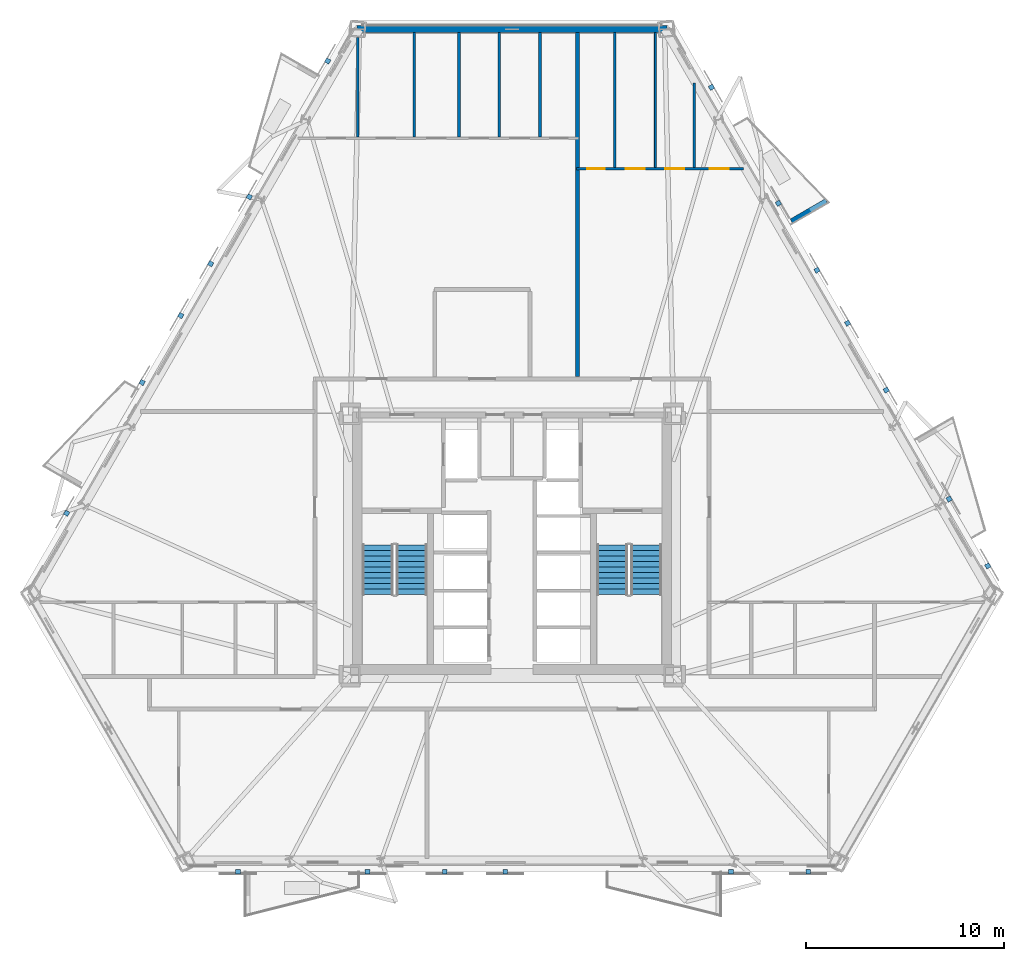
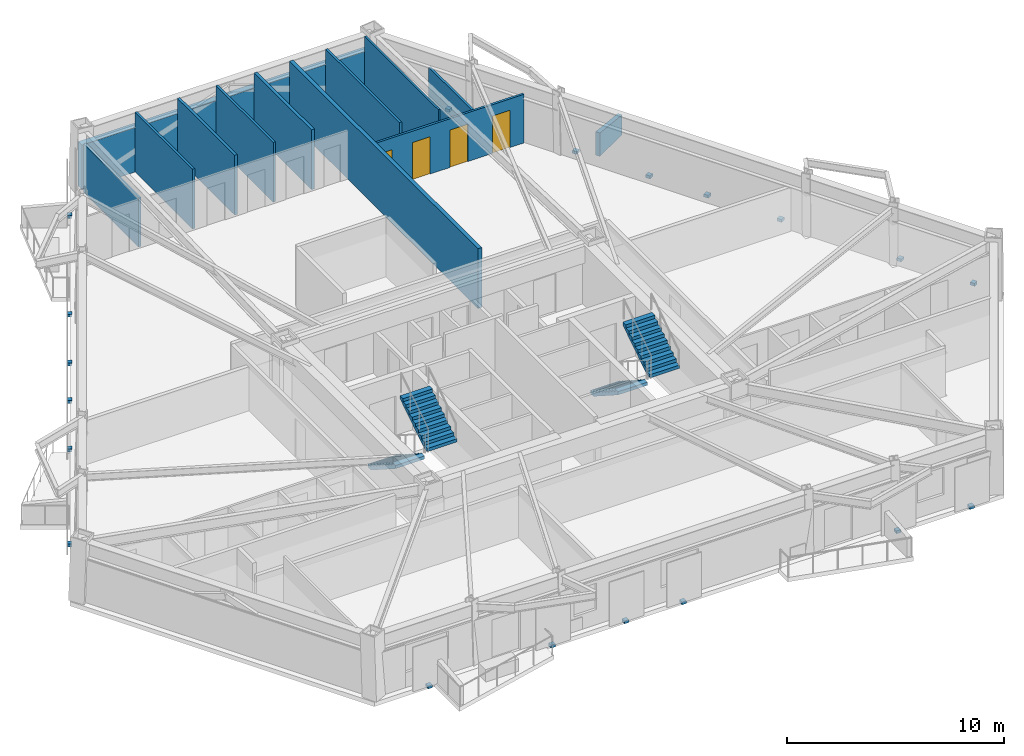
# One storey, part 6 of 12: 19 discrete accessories, 12 walls, 4 doors, 4 stair flights, 4 openings, 2 elements without a shape of their own.
"""IFC4 building model written with IfcOpenShell, lengths in metres."""

from ifc_helpers import new_model, si_unit, direction, frame, frame_2d, origin, origin_2d, place, context, subcontext, project, spatial, polyline, rectangle, outline, extrude, material, layer, layer_set, type_object, element, fill, aggregate, save


model = new_model("IFC4")

# Units and contexts
model_context = context("Model", 3, precision=1e-05, world=origin(), true_north=direction((0.0, 1.0)))
body_context = subcontext(model_context, "Body", "Model", "MODEL_VIEW")
ifc_project = project(units=[si_unit("LENGTHUNIT", "METRE"), si_unit("AREAUNIT", "SQUARE_METRE"), si_unit("VOLUMEUNIT", "CUBIC_METRE"), si_unit("PLANEANGLEUNIT", "RADIAN"), si_unit("MASSUNIT", "GRAM", prefix="KILO")], contexts=[model_context])

# Site, building, storey
site_placement = place(None, origin())
site = spatial("IfcSite", under=ifc_project, at=site_placement, CompositionType="ELEMENT")
building_placement = place(site_placement, origin())
building = spatial("IfcBuilding", under=site, at=building_placement, Name="Oramaril Tower", CompositionType="ELEMENT")
storey_placement = place(building_placement, frame((0.0, 0.0, 34.5)))
storey = spatial("IfcBuildingStorey", under=building, at=storey_placement, Name="L08", CompositionType="ELEMENT", Elevation=34.5)

# Walls
ifc_material_1 = material(Name="Warm Cream Limestone", Category="masonry")
ifc_layer_1 = layer(ifc_material_1, 0.340087890625)
ifc_layer_set_1 = layer_set([ifc_layer_1], Name="WT-EXT34")
wall_type_1 = type_object("IfcWallType", Name="WT-EXT34", PredefinedType="SOLIDWALL", material=ifc_layer_set_1)
wall_1_placement = place(storey_placement, frame((45.316162109375, 43.621337890625, 0.0), z_axis=(0.0, 0.0, 1.0), x_axis=(-1.0, 0.0, 0.0)))
element("IfcWall", 1, at=wall_1_placement, inside=storey, type_object=wall_type_1, Name="L08 Tower Limestone Facade Wall 5M", PredefinedType="SOLIDWALL", context=body_context, shape_type="SweptSolid", body=[
    extrude(rectangle(XDim=15.63232421875, YDim=0.340087890625, at=frame_2d((7.816162109375, 0.0))), origin(), (0.0, 0.0, 1.0), 2.493896484375),
])
ifc_material_2 = material(Name="Concrete C40/50", Category="concrete")
ifc_layer_2 = layer(ifc_material_2, 0.22998046875)
ifc_layer_set_2 = layer_set([ifc_layer_2], Name="WT-PRP23")
wall_type_2 = type_object("IfcWallType", Name="WT-PRP23", PredefinedType="PARAPET", material=ifc_layer_set_2)
wall_2_placement = place(storey_placement, frame((51.598876953125, 33.935546875, 0.0), z_axis=(0.0, 0.0, 1.0), x_axis=(0.866012356593, 0.500022597718, 0.0)))
element("IfcWall", 2, at=wall_2_placement, inside=storey, type_object=wall_type_2, Name="L08 Trapezoidal Balcony Frame Cheek L08-BAL-NE2-L", PredefinedType="PARAPET", context=body_context, shape_type="SweptSolid", body=[
    extrude(outline(polyline([(0.0, 0.0), (2.0419921875, 0.0), (2.0419921875, 1.10009765625), (0.0, 1.320068359375), (0.0, 0.0)])), frame((0.0, 0.114990234375, 0.0), z_axis=(0.0, -1.0, 0.0), x_axis=(1.0, 0.0, 0.0)), (0.0, 0.0, 1.0), 0.22998046875),
])
ifc_material_3 = material(Name="Acoustic Gypsum Board Partition")
ifc_layer_3 = layer(ifc_material_3, 0.10009765625)
ifc_layer_set_3 = layer_set([ifc_layer_3], Name="WT-PT10")
wall_type_3 = type_object("IfcWallType", Name="WT-PT10", PredefinedType="PARTITIONING", material=ifc_layer_set_3)
wall_3_placement = place(storey_placement, frame((44.739990234375, 36.64404296875, 0.0), z_axis=(0.0, 0.0, 1.0), x_axis=(0.0, 1.0, 0.0)))
element("IfcWall", 3, at=wall_3_placement, inside=storey, type_object=wall_type_3, Name="L08 Interior Partition PT-10", PredefinedType="PARTITIONING", context=body_context, shape_type="SweptSolid", body=[
    extrude(rectangle(XDim=6.80322265625, YDim=0.10009765625, at=frame_2d((3.401611328125, 0.0))), origin(), (0.0, 0.0, 1.0), 3.360107421875),
])

# Wall, openings, doors
ifc_material_4 = material(Name="Acoustic Gypsum Board Partition")
ifc_layer_4 = layer(ifc_material_4, 0.1201171875)
ifc_layer_set_4 = layer_set([ifc_layer_4], Name="WT-PT12")
wall_type_4 = type_object("IfcWallType", Name="WT-PT12", PredefinedType="PARTITIONING", material=ifc_layer_set_4)
wall_4_placement = place(storey_placement, frame((40.75, 36.580078125, 0.0), z_axis=(0.0, 0.0, 1.0), x_axis=(1.0, 0.0, 0.0)))
wall_4 = element("IfcWall", 4, at=wall_4_placement, inside=storey, type_object=wall_type_4, Name="L08 Interior Partition PT-12", PredefinedType="PARTITIONING", context=body_context, shape_type="SweptSolid", body=[
    extrude(rectangle(XDim=8.4306640625, YDim=0.1201171875, at=frame_2d((4.21533203125, 0.0))), origin(), (0.0, 0.0, 1.0), 2.738037109375),
])
opening_1_placement = place(wall_4_placement, frame((0.5400390625, 0.0, 0.0)))
opening_1 = element("IfcOpeningElement", 5, at=opening_1_placement, cuts=wall_4, Name="Opening D-L08-15", PredefinedType="OPENING", context=body_context, shape_type="SweptSolid", body=[
    extrude(rectangle(XDim=0.8798828125, YDim=2.080078125, at=frame_2d((0.43994140625, 1.0400390625))), frame((0.0, 0.06005859375, 0.0), z_axis=(0.0, -1.0, 0.0), x_axis=(1.0, 0.0, 0.0)), (0.0, 0.0, 1.0), 0.1201171875),
])
opening_2_placement = place(wall_4_placement, frame((2.489990234375, 0.0, 0.0)))
opening_2 = element("IfcOpeningElement", 6, at=opening_2_placement, cuts=wall_4, Name="Opening D-L08-16", PredefinedType="OPENING", context=body_context, shape_type="SweptSolid", body=[
    extrude(rectangle(XDim=0.949951171875, YDim=2.10009765625, at=frame_2d((0.47509765625, 1.050048828125))), frame((0.0, 0.06005859375, 0.0), z_axis=(0.0, -1.0, 0.0), x_axis=(1.0, 0.0, 0.0)), (0.0, 0.0, 1.0), 0.1201171875),
])
opening_3_placement = place(wall_4_placement, frame((4.489990234375, 0.0, 0.0)))
opening_3 = element("IfcOpeningElement", 7, at=opening_3_placement, cuts=wall_4, Name="Opening D-L08-17", PredefinedType="OPENING", context=body_context, shape_type="SweptSolid", body=[
    extrude(rectangle(XDim=0.949951171875, YDim=2.10009765625, at=frame_2d((0.47509765625, 1.050048828125))), frame((0.0, 0.06005859375, 0.0), z_axis=(0.0, -1.0, 0.0), x_axis=(1.0, 0.0, 0.0)), (0.0, 0.0, 1.0), 0.1201171875),
])
opening_4_placement = place(wall_4_placement, frame((6.739990234375, 0.0, 0.0)))
opening_4 = element("IfcOpeningElement", 8, at=opening_4_placement, cuts=wall_4, Name="Opening D-L08-18", PredefinedType="OPENING", context=body_context, shape_type="SweptSolid", body=[
    extrude(rectangle(XDim=0.949951171875, YDim=2.10009765625, at=frame_2d((0.47509765625, 1.050048828125))), frame((0.0, 0.06005859375, 0.0), z_axis=(0.0, -1.0, 0.0), x_axis=(1.0, 0.0, 0.0)), (0.0, 0.0, 1.0), 0.1201171875),
])
ifc_material_5 = material(Name="FSC Brazilian Freijo Hardwood", Category="wood")
door_type_1 = type_object("IfcDoorType", Name="DT-BATH", OperationType="NOTDEFINED", PredefinedType="DOOR", material=ifc_material_5)
door_1_placement = place(opening_1_placement, origin())
door_1 = element("IfcDoor", 9, at=door_1_placement, inside=storey, type_object=door_type_1, Name="L08 Flat L08-U6 Bathroom Door D-L08-15", OperationType="SINGLE_SWING_LEFT", OverallHeight=2.080078125, OverallWidth=0.8798828125, PredefinedType="DOOR", context=body_context, shape_type="SweptSolid", body=[
    extrude(rectangle(XDim=0.8798828125, YDim=2.080078125, at=frame_2d((0.43994140625, 1.0400390625))), frame((0.0, 0.02490234375, 0.0), z_axis=(0.0, -1.0, 0.0), x_axis=(1.0, 0.0, 0.0)), (0.0, 0.0, 1.0), 0.050048828125),
])
fill(opening_1, door_1)
ifc_material_6 = material(Name="FSC Brazilian Freijo Hardwood", Category="wood")
door_type_2 = type_object("IfcDoorType", Name="DT-STDY", OperationType="NOTDEFINED", PredefinedType="DOOR", material=ifc_material_6)
door_2_placement = place(opening_2_placement, origin())
door_2 = element("IfcDoor", 10, at=door_2_placement, inside=storey, type_object=door_type_2, Name="L08 Flat L08-U6 Kitchen Door D-L08-16", OperationType="SINGLE_SWING_RIGHT", OverallHeight=2.10009765625, OverallWidth=0.949951171875, PredefinedType="DOOR", context=body_context, shape_type="SweptSolid", body=[
    extrude(rectangle(XDim=0.949951171875, YDim=2.10009765625, at=frame_2d((0.47509765625, 1.050048828125))), frame((0.0, 0.02490234375, 0.0), z_axis=(0.0, -1.0, 0.0), x_axis=(1.0, 0.0, 0.0)), (0.0, 0.0, 1.0), 0.050048828125),
])
fill(opening_2, door_2)
door_3_placement = place(opening_3_placement, origin())
door_3 = element("IfcDoor", 11, at=door_3_placement, inside=storey, type_object=door_type_2, Name="L08 Flat L08-U6 Reading Study Door D-L08-17", OperationType="SINGLE_SWING_LEFT", OverallHeight=2.10009765625, OverallWidth=0.949951171875, PredefinedType="DOOR", context=body_context, shape_type="SweptSolid", body=[
    extrude(rectangle(XDim=0.949951171875, YDim=2.10009765625, at=frame_2d((0.47509765625, 1.050048828125))), frame((0.0, 0.02490234375, 0.0), z_axis=(0.0, -1.0, 0.0), x_axis=(1.0, 0.0, 0.0)), (0.0, 0.0, 1.0), 0.050048828125),
])
fill(opening_3, door_3)
door_4_placement = place(opening_4_placement, origin())
door_4 = element("IfcDoor", 12, at=door_4_placement, inside=storey, type_object=door_type_2, Name="L08 Flat L08-U6 Breakfast Dining Room Door D-L08-18", OperationType="SINGLE_SWING_RIGHT", OverallHeight=2.10009765625, OverallWidth=0.949951171875, PredefinedType="DOOR", context=body_context, shape_type="SweptSolid", body=[
    extrude(rectangle(XDim=0.949951171875, YDim=2.10009765625, at=frame_2d((0.47509765625, 1.050048828125))), frame((0.0, 0.02490234375, 0.0), z_axis=(0.0, -1.0, 0.0), x_axis=(1.0, 0.0, 0.0)), (0.0, 0.0, 1.0), 0.050048828125),
])
fill(opening_4, door_4)

# Walls
for number, where, z_axis, x_axis, name in (
    (13, (32.570068359375, 38.1640625, 0.0), (0.0, 0.0, 1.0), (0.0, 1.0, 0.0), "L08 Interior Partition PT-12"),
    (14, (36.860107421875, 38.1640625, 0.0), (0.0, 0.0, 1.0), (0.0, 1.0, 0.0), "L08 Interior Partition PT-12"),
):
    element("IfcWall", number, at=place(storey_placement, frame(where, z_axis=z_axis, x_axis=x_axis)), inside=storey, type_object=wall_type_4, Name=name, PredefinedType="PARTITIONING", context=body_context, shape_type="SweptSolid", body=[
        extrude(rectangle(XDim=5.283203125, YDim=0.1201171875, at=frame_2d((2.6416015625, 0.0))), origin(), (0.0, 0.0, 1.0), 3.360107421875),
    ])
wall_5_placement = place(storey_placement, frame((42.68994140625, 36.64404296875, 0.0), z_axis=(0.0, 0.0, 1.0), x_axis=(0.0, 1.0, 0.0)))
element("IfcWall", 15, at=wall_5_placement, inside=storey, type_object=wall_type_4, Name="L08 Interior Partition PT-12", PredefinedType="PARTITIONING", context=body_context, shape_type="SweptSolid", body=[
    extrude(rectangle(XDim=6.80322265625, YDim=0.1201171875, at=frame_2d((3.401611328125, 0.0))), origin(), (0.0, 0.0, 1.0), 3.360107421875),
])
wall_6_placement = place(storey_placement, frame((46.68994140625, 36.64404296875, 0.0), z_axis=(0.0, 0.0, 1.0), x_axis=(0.0, 1.0, 0.0)))
element("IfcWall", 16, at=wall_6_placement, inside=storey, type_object=wall_type_4, Name="L08 Interior Partition PT-12", PredefinedType="PARTITIONING", context=body_context, shape_type="SweptSolid", body=[
    extrude(rectangle(XDim=4.249755859375, YDim=0.1201171875, at=frame_2d((2.125, 0.0))), origin(), (0.0, 0.0, 1.0), 2.493896484375),
])
ifc_material_7 = material(Name="Acoustic Gypsum Board Partition")
ifc_layer_5 = layer(ifc_material_7, 0.139892578125)
ifc_layer_set_5 = layer_set([ifc_layer_5], Name="WT-PT14")
wall_type_5 = type_object("IfcWallType", Name="WT-PT14", PredefinedType="PARTITIONING", material=ifc_layer_set_5)
wall_7_placement = place(storey_placement, frame((29.7099609375, 38.1640625, 0.0), z_axis=(0.0, 0.0, 1.0), x_axis=(0.0, 1.0, 0.0)))
element("IfcWall", 17, at=wall_7_placement, inside=storey, type_object=wall_type_5, Name="L08 Interior Partition PT-14", PredefinedType="PARTITIONING", context=body_context, shape_type="SweptSolid", body=[
    extrude(rectangle(XDim=5.03759765625, YDim=0.139892578125, at=frame_2d((2.518798828125, 0.0))), origin(), (0.0, 0.0, 1.0), 2.738037109375),
])
wall_8_placement = place(storey_placement, frame((34.820068359375, 38.1640625, 0.0), z_axis=(0.0, 0.0, 1.0), x_axis=(0.0, 1.0, 0.0)))
element("IfcWall", 18, at=wall_8_placement, inside=storey, type_object=wall_type_5, Name="L08 Interior Partition PT-14", PredefinedType="PARTITIONING", context=body_context, shape_type="SweptSolid", body=[
    extrude(rectangle(XDim=5.283203125, YDim=0.139892578125, at=frame_2d((2.6416015625, 0.0))), origin(), (0.0, 0.0, 1.0), 3.360107421875),
])
ifc_material_8 = material(Name="Acoustic Gypsum Board Partition")
ifc_layer_6 = layer(ifc_material_8, 0.159912109375)
ifc_layer_set_6 = layer_set([ifc_layer_6], Name="WT-PT16")
wall_type_6 = type_object("IfcWallType", Name="WT-PT16", PredefinedType="PARTITIONING", material=ifc_layer_set_6)
wall_9_placement = place(storey_placement, frame((38.909912109375, 38.1640625, 0.0), z_axis=(0.0, 0.0, 1.0), x_axis=(0.0, 1.0, 0.0)))
element("IfcWall", 19, at=wall_9_placement, inside=storey, type_object=wall_type_6, Name="L08 Interior Partition PT-16", PredefinedType="PARTITIONING", context=body_context, shape_type="SweptSolid", body=[
    extrude(rectangle(XDim=5.283203125, YDim=0.159912109375, at=frame_2d((2.6416015625, 0.0))), origin(), (0.0, 0.0, 1.0), 3.360107421875),
])
ifc_material_9 = material(Name="Autoclaved Cellular Concrete Block", Category="concrete")
ifc_layer_7 = layer(ifc_material_9, 0.199951171875)
ifc_layer_set_7 = layer_set([ifc_layer_7], Name="WT-PT20")
wall_type_7 = type_object("IfcWallType", Name="WT-PT20", PredefinedType="PARTITIONING", material=ifc_layer_set_7)
wall_10_placement = place(storey_placement, frame((40.800048828125, 26.073974609375, 0.0), z_axis=(0.0, 0.0, 1.0), x_axis=(0.0, 1.0, 0.0)))
element("IfcWall", 20, at=wall_10_placement, inside=storey, type_object=wall_type_7, Name="L08 Interior Partition PT-20", PredefinedType="PARTITIONING", context=body_context, shape_type="SweptSolid", body=[
    extrude(rectangle(XDim=17.373291015625, YDim=0.199951171875, at=frame_2d((8.6865234375, 0.0))), origin(), (0.0, 0.0, 1.0), 3.360107421875),
])

# Stair, stair flights
ifc_material_10 = material(Name="Concrete C50/60", Category="concrete")
stair_type = type_object("IfcStairType", Name="STT-DG-3600", PredefinedType="HALF_TURN_STAIR", material=ifc_material_10)
stair_1_placement = place(storey_placement, origin())
stair_1 = element("IfcStair", 21, at=stair_1_placement, inside=storey, type_object=stair_type, Name="L08 Protected PFP Exit Stair ST-1", PredefinedType="HALF_TURN_STAIR")
ifc_material_11 = material(Name="Concrete C50/60", Category="concrete")
stair_flight_type = type_object("IfcStairFlightType", Name="SFT-DG-3600", PredefinedType="STRAIGHT", material=ifc_material_11)
stair_flight_1_placement = place(storey_placement, frame((30.72998046875, 17.590087890625, 0.0), z_axis=(0.0, 0.0, 1.0), x_axis=(0.0, -1.0, 0.0)))
stair_flight_1 = element("IfcStairFlight", 22, at=stair_flight_1_placement, type_object=stair_flight_type, Name="ST-1 flight 1", NumberOfRisers=10, NumberOfTreads=9, PredefinedType="STRAIGHT", RiserHeight=0.18, TreadLength=0.28, context=body_context, shape_type="SweptSolid", body=[
    extrude(outline(polyline([(0.0, 0.0), (0.0, 0.179931640625), (0.280029296875, 0.179931640625), (0.280029296875, 0.360107421875), (0.56005859375, 0.360107421875), (0.56005859375, 0.5400390625), (0.840087890625, 0.5400390625), (0.840087890625, 0.719970703125), (1.1201171875, 0.719970703125), (1.1201171875, 0.89990234375), (1.39990234375, 0.89990234375), (1.39990234375, 1.080078125), (1.679931640625, 1.080078125), (1.679931640625, 1.260009765625), (1.9599609375, 1.260009765625), (1.9599609375, 1.43994140625), (2.239990234375, 1.43994140625), (2.239990234375, 1.6201171875), (2.52001953125, 1.6201171875), (2.52001953125, 1.800048828125), (2.52001953125, 1.44189453125), (0.277099609375, 0.0), (0.0, 0.0)])), frame((0.0, 0.780029296875, 0.0), z_axis=(0.0, -1.0, 0.0), x_axis=(1.0, 0.0, 0.0)), (0.0, 0.0, 1.0), 1.56005859375),
])
stair_flight_2_placement = place(storey_placement, frame((32.43994140625, 15.070068359375, 1.800048828125), z_axis=(0.0, 0.0, 1.0), x_axis=(0.0, 1.0, 0.0)))
stair_flight_2 = element("IfcStairFlight", 23, at=stair_flight_2_placement, type_object=stair_flight_type, Name="ST-1 flight 2", NumberOfRisers=10, NumberOfTreads=9, PredefinedType="STRAIGHT", RiserHeight=0.18, TreadLength=0.28, context=body_context, shape_type="SweptSolid", body=[
    extrude(outline(polyline([(0.0, 0.0), (0.0, 0.179931640625), (0.280029296875, 0.179931640625), (0.280029296875, 0.360107421875), (0.56005859375, 0.360107421875), (0.56005859375, 0.5400390625), (0.840087890625, 0.5400390625), (0.840087890625, 0.719970703125), (1.1201171875, 0.719970703125), (1.1201171875, 0.89990234375), (1.39990234375, 0.89990234375), (1.39990234375, 1.080078125), (1.679931640625, 1.080078125), (1.679931640625, 1.260009765625), (1.9599609375, 1.260009765625), (1.9599609375, 1.43994140625), (2.239990234375, 1.43994140625), (2.239990234375, 1.6201171875), (2.52001953125, 1.6201171875), (2.52001953125, 1.800048828125), (2.52001953125, 1.44189453125), (0.277099609375, 0.0), (0.0, 0.0)])), frame((0.0, 0.780029296875, 0.0), z_axis=(0.0, -1.0, 0.0), x_axis=(1.0, 0.0, 0.0)), (0.0, 0.0, 1.0), 1.56005859375),
])
aggregate(stair_1, [stair_flight_1, stair_flight_2])

stair_2_placement = place(storey_placement, origin())
stair_2 = element("IfcStair", 24, at=stair_2_placement, inside=storey, type_object=stair_type, Name="L08 Protected PFP Exit Stair ST-2", PredefinedType="HALF_TURN_STAIR")
stair_flight_3_placement = place(storey_placement, frame((42.56005859375, 17.590087890625, 0.0), z_axis=(0.0, 0.0, 1.0), x_axis=(0.0, -1.0, 0.0)))
stair_flight_3 = element("IfcStairFlight", 25, at=stair_flight_3_placement, type_object=stair_flight_type, Name="ST-2 flight 1", NumberOfRisers=10, NumberOfTreads=9, PredefinedType="STRAIGHT", RiserHeight=0.18, TreadLength=0.28, context=body_context, shape_type="SweptSolid", body=[
    extrude(outline(polyline([(0.0, 0.0), (0.0, 0.179931640625), (0.280029296875, 0.179931640625), (0.280029296875, 0.360107421875), (0.56005859375, 0.360107421875), (0.56005859375, 0.5400390625), (0.840087890625, 0.5400390625), (0.840087890625, 0.719970703125), (1.1201171875, 0.719970703125), (1.1201171875, 0.89990234375), (1.39990234375, 0.89990234375), (1.39990234375, 1.080078125), (1.679931640625, 1.080078125), (1.679931640625, 1.260009765625), (1.9599609375, 1.260009765625), (1.9599609375, 1.43994140625), (2.239990234375, 1.43994140625), (2.239990234375, 1.6201171875), (2.52001953125, 1.6201171875), (2.52001953125, 1.800048828125), (2.52001953125, 1.44189453125), (0.277099609375, 0.0), (0.0, 0.0)])), frame((0.0, 0.780029296875, 0.0), z_axis=(0.0, -1.0, 0.0), x_axis=(1.0, 0.0, 0.0)), (0.0, 0.0, 1.0), 1.56005859375),
])
stair_flight_4_placement = place(storey_placement, frame((44.27001953125, 15.070068359375, 1.800048828125), z_axis=(0.0, 0.0, 1.0), x_axis=(0.0, 1.0, 0.0)))
stair_flight_4 = element("IfcStairFlight", 26, at=stair_flight_4_placement, type_object=stair_flight_type, Name="ST-2 flight 2", NumberOfRisers=10, NumberOfTreads=9, PredefinedType="STRAIGHT", RiserHeight=0.18, TreadLength=0.28, context=body_context, shape_type="SweptSolid", body=[
    extrude(outline(polyline([(0.0, 0.0), (0.0, 0.179931640625), (0.280029296875, 0.179931640625), (0.280029296875, 0.360107421875), (0.56005859375, 0.360107421875), (0.56005859375, 0.5400390625), (0.840087890625, 0.5400390625), (0.840087890625, 0.719970703125), (1.1201171875, 0.719970703125), (1.1201171875, 0.89990234375), (1.39990234375, 0.89990234375), (1.39990234375, 1.080078125), (1.679931640625, 1.080078125), (1.679931640625, 1.260009765625), (1.9599609375, 1.260009765625), (1.9599609375, 1.43994140625), (2.239990234375, 1.43994140625), (2.239990234375, 1.6201171875), (2.52001953125, 1.6201171875), (2.52001953125, 1.800048828125), (2.52001953125, 1.44189453125), (0.277099609375, 0.0), (0.0, 0.0)])), frame((0.0, 0.780029296875, 0.0), z_axis=(0.0, -1.0, 0.0), x_axis=(1.0, 0.0, 0.0)), (0.0, 0.0, 1.0), 1.56005859375),
])
aggregate(stair_2, [stair_flight_3, stair_flight_4])

# Discrete accessories
for number, where, z_axis, x_axis, name in (
    (27, (23.671142578125, 1.09033203125, -0.14013671875), (0.0, 0.0, 1.0), (1.0, 0.0, 0.0), "L08 Solar Screen Slab Bracket"),
    (28, (30.205810546875, 1.09033203125, -0.14013671875), (0.0, 0.0, 1.0), (1.0, 0.0, 0.0), "L08 Solar Screen Slab Bracket"),
    (29, (34.10595703125, 1.09033203125, -0.14013671875), (0.0, 0.0, 1.0), (1.0, 0.0, 0.0), "L08 Solar Screen Slab Bracket"),
    (30, (37.163818359375, 1.09033203125, -0.14013671875), (0.0, 0.0, 1.0), (1.0, 0.0, 0.0), "L08 Solar Screen Slab Bracket"),
    (31, (48.553955078125, 1.09033203125, -0.14013671875), (0.0, 0.0, 1.0), (1.0, 0.0, 0.0), "L08 Solar Screen Slab Bracket"),
    (32, (52.453857421875, 1.09033203125, -0.14013671875), (0.0, 0.0, 1.0), (1.0, 0.0, 0.0), "L08 Solar Screen Slab Bracket"),
    (33, (61.51513671875, 16.523681640625, -0.14013671875), (0.0, 0.0, 1.0), (-0.5, 0.866025403784, 0.0), "L08 Solar Screen Slab Bracket"),
    (34, (59.565185546875, 19.9013671875, -0.14013671875), (0.0, 0.0, 1.0), (-0.5, 0.866025403784, 0.0), "L08 Solar Screen Slab Bracket"),
    (35, (56.3896484375, 25.401611328125, -0.14013671875), (0.0, 0.0, 1.0), (-0.5, 0.866025403784, 0.0), "L08 Solar Screen Slab Bracket"),
    (36, (54.439697265625, 28.779052734375, -0.14013671875), (0.0, 0.0, 1.0), (-0.5, 0.866025403784, 0.0), "L08 Solar Screen Slab Bracket"),
    (37, (52.896240234375, 31.4521484375, -0.14013671875), (0.0, 0.0, 1.0), (-0.5, 0.866025403784, 0.0), "L08 Solar Screen Slab Bracket"),
    (38, (50.9462890625, 34.82958984375, -0.14013671875), (0.0, 0.0, 1.0), (-0.5, 0.866025403784, 0.0), "L08 Solar Screen Slab Bracket"),
    (39, (47.56591796875, 40.684814453125, -0.14013671875), (0.0, 0.0, 1.0), (-0.5, 0.866025403784, 0.0), "L08 Solar Screen Slab Bracket"),
    (40, (15.0205078125, 19.18359375, -0.14013671875), (0.0, 0.0, 1.0), (-0.5, -0.866025403784, 0.0), "L08 Solar Screen Slab Bracket"),
    (41, (24.24169921875, 35.155029296875, -0.14013671875), (0.0, 0.0, 1.0), (-0.5, -0.866025403784, 0.0), "L08 Solar Screen Slab Bracket"),
    (42, (22.29150390625, 31.777587890625, -0.14013671875), (0.0, 0.0, 1.0), (-0.5, -0.866025403784, 0.0), "L08 Solar Screen Slab Bracket"),
    (43, (20.781494140625, 29.162109375, -0.14013671875), (0.0, 0.0, 1.0), (-0.5, -0.866025403784, 0.0), "L08 Solar Screen Slab Bracket"),
    (44, (18.83154296875, 25.784423828125, -0.14013671875), (0.0, 0.0, 1.0), (-0.5, -0.866025403784, 0.0), "L08 Solar Screen Slab Bracket"),
    (45, (28.19921875, 42.010009765625, -0.14013671875), (0.0, 0.0, 1.0), (-0.5, -0.866025403784, 0.0), "L08 Solar Screen Slab Bracket"),
):
    element("IfcDiscreteAccessory", number, at=place(storey_placement, frame(where, z_axis=z_axis, x_axis=x_axis)), inside=storey, Name=name, PredefinedType="BRACKET", context=body_context, shape_type="SweptSolid", body=[
        extrude(rectangle(XDim=0.239990234375, YDim=0.239990234375, at=origin_2d()), origin(), (0.0, 0.0, 1.0), 0.159912109375),
    ])

save(model, "model.ifc")
